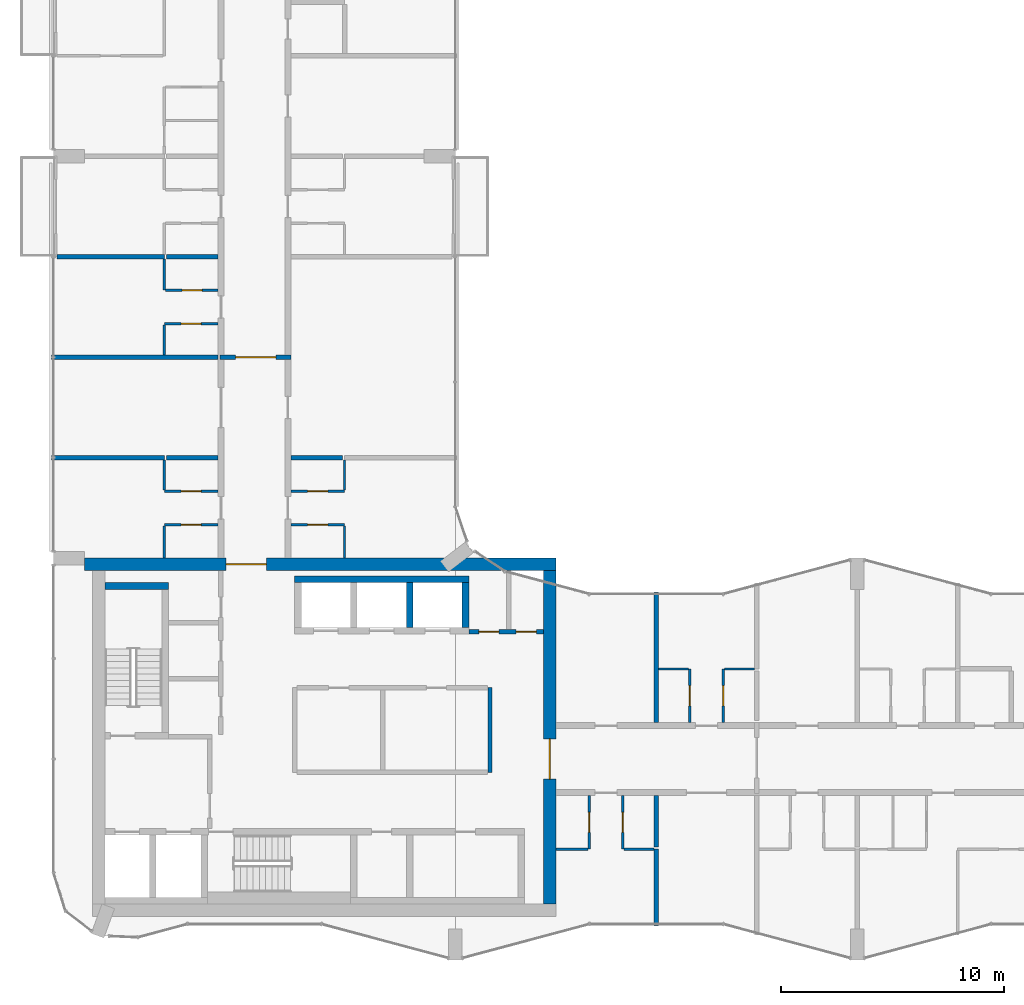
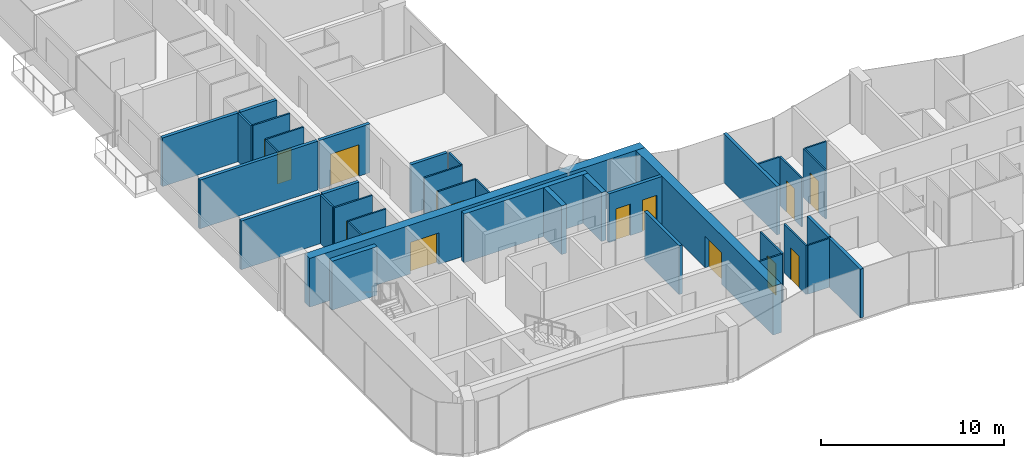
# One storey, part 10 of 15: 38 walls, 15 doors, 15 openings.
"""IFC4 building model written with IfcOpenShell, lengths in metres."""

from ifc_helpers import new_model, si_unit, direction, frame, frame_2d, origin, place, context, subcontext, project, spatial, rectangle, extrude, material, layer, layer_set, type_object, element, fill, save


model = new_model("IFC4")

# Units and contexts
model_context = context("Model", 3, precision=1e-05, world=origin(), true_north=direction((0.0, 1.0)))
body_context = subcontext(model_context, "Body", "Model", "MODEL_VIEW")
ifc_project = project(units=[si_unit("LENGTHUNIT", "METRE"), si_unit("AREAUNIT", "SQUARE_METRE"), si_unit("VOLUMEUNIT", "CUBIC_METRE"), si_unit("PLANEANGLEUNIT", "RADIAN"), si_unit("MASSUNIT", "GRAM", prefix="KILO")], contexts=[model_context])

# Site, building, storey
site_placement = place(None, origin())
site = spatial("IfcSite", under=ifc_project, at=site_placement, CompositionType="ELEMENT")
building_placement = place(site_placement, origin())
building = spatial("IfcBuilding", under=site, at=building_placement, Name="Plateau Cross Towers", CompositionType="ELEMENT")
storey_placement = place(building_placement, frame((0.0, 0.0, 194.39990234375)))
storey = spatial("IfcBuildingStorey", under=building, at=storey_placement, Name="L50", CompositionType="ELEMENT", Elevation=194.39990234375)

# Wall
ifc_material_1 = material(Name="Concrete block, plastered both sides", Category="concrete")
ifc_layer_1 = layer(ifc_material_1, 0.199951171875)
ifc_layer_set_1 = layer_set([ifc_layer_1], Name="Concrete block, plastered both sides")
wall_type_1 = type_object("IfcWallType", Name="Core partition 200", PredefinedType="PARTITIONING", material=ifc_layer_set_1)
wall_1_placement = place(storey_placement, frame((19.550048828125, 8.39990234375, 0.0), z_axis=(0.0, 0.0, 1.0), x_axis=(0.0, 1.0, 0.0)))
element("IfcWall", 1, at=wall_1_placement, inside=storey, type_object=wall_type_1, Name="Core partition", PredefinedType="PARTITIONING", context=body_context, shape_type="SweptSolid", body=[
    extrude(rectangle(XDim=3.800048828125, YDim=0.199951171875, at=frame_2d((1.89990234375, 0.0))), origin(), (0.0, 0.0, 1.0), 3.25),
])

# Wall, openings, doors
wall_2_placement = place(storey_placement, frame((18.60009765625, 14.699951171875, 0.0), z_axis=(0.0, 0.0, 1.0), x_axis=(1.0, 0.0, 0.0)))
wall_2 = element("IfcWall", 2, at=wall_2_placement, inside=storey, type_object=wall_type_1, Name="Core partition", PredefinedType="PARTITIONING", context=body_context, shape_type="SweptSolid", body=[
    extrude(rectangle(XDim=3.349853515625, YDim=0.199951171875, at=frame_2d((1.6748046875, 0.0))), origin(), (0.0, 0.0, 1.0), 3.25),
])
opening_1_placement = place(wall_2_placement, frame((0.449951171875, 0.0, 0.0)))
opening_1 = element("IfcOpeningElement", 3, at=opening_1_placement, cuts=wall_2, Name="Opening RD2", PredefinedType="OPENING", context=body_context, shape_type="SweptSolid", body=[
    extrude(rectangle(XDim=0.89990234375, YDim=2.10009765625, at=frame_2d((0.449951171875, 1.050048828125))), frame((0.0, 0.10986328125, 0.0), z_axis=(0.0, -1.0, 0.0), x_axis=(1.0, 0.0, 0.0)), (0.0, 0.0, 1.0), 0.219970703125),
])
opening_2_placement = place(wall_2_placement, frame((2.125, 0.0, 0.0)))
opening_2 = element("IfcOpeningElement", 4, at=opening_2_placement, cuts=wall_2, Name="Opening RD2", PredefinedType="OPENING", context=body_context, shape_type="SweptSolid", body=[
    extrude(rectangle(XDim=0.89990234375, YDim=2.10009765625, at=frame_2d((0.449951171875, 1.050048828125))), frame((0.0, 0.10986328125, 0.0), z_axis=(0.0, -1.0, 0.0), x_axis=(1.0, 0.0, 0.0)), (0.0, 0.0, 1.0), 0.219970703125),
])
ifc_material_2 = material(Name="Steel, fire-resisting leaf", Category="steel")
door_type_1 = type_object("IfcDoorType", Name="Core riser door 900", OperationType="NOTDEFINED", PredefinedType="DOOR", material=ifc_material_2)
door_1_placement = place(opening_1_placement, origin())
door_1 = element("IfcDoor", 5, at=door_1_placement, inside=storey, type_object=door_type_1, Name="Core riser door RD2", OperationType="SINGLE_SWING_LEFT", OverallHeight=2.10009765625, OverallWidth=0.89990234375, PredefinedType="DOOR", context=body_context, shape_type="SweptSolid", body=[
    extrude(rectangle(XDim=0.89990234375, YDim=2.10009765625, at=frame_2d((0.449951171875, 1.050048828125))), frame((0.0, 0.02490234375, 0.0), z_axis=(0.0, -1.0, 0.0), x_axis=(1.0, 0.0, 0.0)), (0.0, 0.0, 1.0), 0.050048828125),
])
fill(opening_1, door_1)
door_2_placement = place(opening_2_placement, origin())
door_2 = element("IfcDoor", 6, at=door_2_placement, inside=storey, type_object=door_type_1, Name="Core riser door RD2", OperationType="SINGLE_SWING_LEFT", OverallHeight=2.10009765625, OverallWidth=0.89990234375, PredefinedType="DOOR", context=body_context, shape_type="SweptSolid", body=[
    extrude(rectangle(XDim=0.89990234375, YDim=2.10009765625, at=frame_2d((0.449951171875, 1.050048828125))), frame((0.0, 0.02490234375, 0.0), z_axis=(0.0, -1.0, 0.0), x_axis=(1.0, 0.0, 0.0)), (0.0, 0.0, 1.0), 0.050048828125),
])
fill(opening_2, door_2)

# Walls
ifc_material_3 = material(Name="Concrete C60/75", Category="concrete")
ifc_layer_2 = layer(ifc_material_3, 0.300048828125)
ifc_layer_set_2 = layer_set([ifc_layer_2], Name="Concrete C60/75")
wall_type_2 = type_object("IfcWallType", Name="Core shaft wall 300", PredefinedType="SHEAR", material=ifc_layer_set_2)
wall_3_placement = place(storey_placement, frame((2.300048828125, 16.75, 0.0), z_axis=(0.0, 0.0, 1.0), x_axis=(1.0, 0.0, 0.0)))
element("IfcWall", 7, at=wall_3_placement, inside=storey, type_object=wall_type_2, Name="A-st1-N@L50", PredefinedType="SHEAR", context=body_context, shape_type="SweptSolid", body=[
    extrude(rectangle(XDim=2.849853515625, YDim=0.300048828125, at=frame_2d((1.4248046875, 0.0))), origin(), (0.0, 0.0, 1.0), 3.25),
])
wall_4_placement = place(storey_placement, frame((10.800048828125, 17.050048828125, 0.0), z_axis=(0.0, 0.0, 1.0), x_axis=(1.0, 0.0, 0.0)))
element("IfcWall", 8, at=wall_4_placement, inside=storey, type_object=wall_type_2, Name="A-nb-back@L50", PredefinedType="SHEAR", context=body_context, shape_type="SweptSolid", body=[
    extrude(rectangle(XDim=7.800048828125, YDim=0.300048828125, at=frame_2d((3.89990234375, 0.0))), origin(), (0.0, 0.0, 1.0), 3.25),
])
for number, where, z_axis, x_axis, name in (
    (9, (15.949951171875, 14.89990234375, 0.0), (0.0, 0.0, 1.0), (0.0, 1.0, 0.0), "A-nb-v3@L50"),
    (10, (18.449951171875, 14.89990234375, 0.0), (0.0, 0.0, 1.0), (0.0, 1.0, 0.0), "A-nb-v4@L50"),
):
    element("IfcWall", number, at=place(storey_placement, frame(where, z_axis=z_axis, x_axis=x_axis)), inside=storey, type_object=wall_type_2, Name=name, PredefinedType="SHEAR", context=body_context, shape_type="SweptSolid", body=[
        extrude(rectangle(XDim=2.0, YDim=0.300048828125, at=frame_2d((1.0, 0.0))), origin(), (0.0, 0.0, 1.0), 3.25),
    ])

# Wall, opening, door
ifc_layer_3 = layer(ifc_material_3, 0.550048828125)
ifc_layer_set_3 = layer_set([ifc_layer_3], Name="Concrete C60/75")
wall_type_3 = type_object("IfcWallType", Name="Core shell wall 550", PredefinedType="SHEAR", material=ifc_layer_set_3)
wall_5_placement = place(storey_placement, frame((1.3798828125, 17.72509765625, 0.0), z_axis=(0.0, 0.0, 1.0), x_axis=(1.0, 0.0, 0.0)))
wall_5 = element("IfcWall", 11, at=wall_5_placement, inside=storey, type_object=wall_type_3, Name="A-core-N@L50", PredefinedType="SHEAR", context=body_context, shape_type="SweptSolid", body=[
    extrude(rectangle(XDim=21.1201171875, YDim=0.550048828125, at=frame_2d((10.56005859375, 0.0))), origin(), (0.0, 0.0, 1.0), 3.25),
])
opening_3_placement = place(wall_5_placement, frame((6.35009765625, 0.0, 0.0)))
opening_3 = element("IfcOpeningElement", 12, at=opening_3_placement, cuts=wall_5, Name="Opening CD", PredefinedType="OPENING", context=body_context, shape_type="SweptSolid", body=[
    extrude(rectangle(XDim=1.800048828125, YDim=2.10009765625, at=frame_2d((0.89990234375, 1.050048828125))), frame((0.0, 0.284912109375, 0.0), z_axis=(0.0, -1.0, 0.0), x_axis=(1.0, 0.0, 0.0)), (0.0, 0.0, 1.0), 0.570068359375),
])
ifc_material_4 = material(Name="Steel, fire-resisting leaves", Category="steel")
door_type_2 = type_object("IfcDoorType", Name="Corridor door pair 1800", OperationType="NOTDEFINED", PredefinedType="DOOR", material=ifc_material_4)
door_3_placement = place(opening_3_placement, origin())
door_3 = element("IfcDoor", 13, at=door_3_placement, inside=storey, type_object=door_type_2, Name="Corridor door pair CD", OperationType="DOUBLE_DOOR_SINGLE_SWING", OverallHeight=2.10009765625, OverallWidth=1.800048828125, PredefinedType="DOOR", context=body_context, shape_type="SweptSolid", body=[
    extrude(rectangle(XDim=1.800048828125, YDim=2.10009765625, at=frame_2d((0.89990234375, 1.050048828125))), frame((0.0, 0.02490234375, 0.0), z_axis=(0.0, -1.0, 0.0), x_axis=(1.0, 0.0, 0.0)), (0.0, 0.0, 1.0), 0.050048828125),
])
fill(opening_3, door_3)

wall_6_placement = place(storey_placement, frame((22.22509765625, 2.5, 0.0), z_axis=(0.0, 0.0, 1.0), x_axis=(0.0, 1.0, 0.0)))
wall_6 = element("IfcWall", 14, at=wall_6_placement, inside=storey, type_object=wall_type_3, Name="A-core-E@L50", PredefinedType="SHEAR", context=body_context, shape_type="SweptSolid", body=[
    extrude(rectangle(XDim=14.949951171875, YDim=0.550048828125, at=frame_2d((7.47509765625, 0.0))), origin(), (0.0, 0.0, 1.0), 3.25),
])
opening_4_placement = place(wall_6_placement, frame((5.60009765625, 0.0, 0.0)))
opening_4 = element("IfcOpeningElement", 15, at=opening_4_placement, cuts=wall_6, Name="Opening CD", PredefinedType="OPENING", context=body_context, shape_type="SweptSolid", body=[
    extrude(rectangle(XDim=1.800048828125, YDim=2.10009765625, at=frame_2d((0.89990234375, 1.050048828125))), frame((0.0, 0.284912109375, 0.0), z_axis=(0.0, -1.0, 0.0), x_axis=(1.0, 0.0, 0.0)), (0.0, 0.0, 1.0), 0.570068359375),
])
door_4_placement = place(opening_4_placement, origin())
door_4 = element("IfcDoor", 16, at=door_4_placement, inside=storey, type_object=door_type_2, Name="Corridor door pair CD", OperationType="DOUBLE_DOOR_SINGLE_SWING", OverallHeight=2.10009765625, OverallWidth=1.800048828125, PredefinedType="DOOR", context=body_context, shape_type="SweptSolid", body=[
    extrude(rectangle(XDim=1.800048828125, YDim=2.10009765625, at=frame_2d((0.89990234375, 1.050048828125))), frame((0.0, 0.02490234375, 0.0), z_axis=(0.0, -1.0, 0.0), x_axis=(1.0, 0.0, 0.0)), (0.0, 0.0, 1.0), 0.050048828125),
])
fill(opening_4, door_4)

# Walls
ifc_material_5 = material(Name="Gypsum board on steel studs", Category="steel")
ifc_layer_4 = layer(ifc_material_5, 0.10009765625)
ifc_layer_set_4 = layer_set([ifc_layer_4], Name="Gypsum board on steel studs")
wall_type_4 = type_object("IfcWallType", Name="Flat partition 100", PredefinedType="PARTITIONING", material=ifc_layer_set_4)
wall_7_placement = place(storey_placement, frame((22.5, 4.96240234375, 0.0), z_axis=(0.0, 0.0, 1.0), x_axis=(1.0, 0.0, 0.0)))
element("IfcWall", 17, at=wall_7_placement, inside=storey, type_object=wall_type_4, Name="Partition wall", PredefinedType="PARTITIONING", context=body_context, shape_type="SweptSolid", body=[
    extrude(rectangle(XDim=1.449951171875, YDim=0.10009765625, at=frame_2d((0.72509765625, 0.0))), origin(), (0.0, 0.0, 1.0), 3.25),
])
for number, where, z_axis, x_axis, name in (
    (18, (25.550048828125, 4.96240234375, 0.0), (0.0, 0.0, 1.0), (1.0, 0.0, 0.0), "Partition wall"),
    (19, (28.449951171875, 13.03759765625, 0.0), (0.0, 0.0, 1.0), (-1.0, 0.0, 0.0), "Partition wall"),
    (20, (31.39990234375, 13.03759765625, 0.0), (0.0, 0.0, 1.0), (-1.0, 0.0, 0.0), "Partition wall"),
):
    element("IfcWall", number, at=place(storey_placement, frame(where, z_axis=z_axis, x_axis=x_axis)), inside=storey, type_object=wall_type_4, Name=name, PredefinedType="PARTITIONING", context=body_context, shape_type="SweptSolid", body=[
        extrude(rectangle(XDim=1.349853515625, YDim=0.10009765625, at=frame_2d((0.6748046875, 0.0))), origin(), (0.0, 0.0, 1.0), 3.25),
    ])

# Wall, opening, door
wall_8_placement = place(storey_placement, frame((7.362548828125, 19.5, 0.0), z_axis=(0.0, 0.0, 1.0), x_axis=(-1.0, 0.0, 0.0)))
wall_8 = element("IfcWall", 21, at=wall_8_placement, inside=storey, type_object=wall_type_4, Name="Partition wall", PredefinedType="PARTITIONING", context=body_context, shape_type="SweptSolid", body=[
    extrude(rectangle(XDim=2.400146484375, YDim=0.10009765625, at=frame_2d((1.2001953125, 0.0))), origin(), (0.0, 0.0, 1.0), 3.25),
])
opening_5_placement = place(wall_8_placement, frame((0.75, 0.0, 0.0)))
opening_5 = element("IfcOpeningElement", 22, at=opening_5_placement, cuts=wall_8, Name="Opening 50-39", PredefinedType="OPENING", context=body_context, shape_type="SweptSolid", body=[
    extrude(rectangle(XDim=0.89990234375, YDim=2.10009765625, at=frame_2d((0.449951171875, 1.050048828125))), frame((0.0, 0.06005859375, 0.0), z_axis=(0.0, -1.0, 0.0), x_axis=(1.0, 0.0, 0.0)), (0.0, 0.0, 1.0), 0.1201171875),
])
ifc_material_6 = material(Name="Timber leaf", Category="wood")
door_type_3 = type_object("IfcDoorType", Name="Flat room door 900", OperationType="NOTDEFINED", PredefinedType="DOOR", material=ifc_material_6)
door_5_placement = place(opening_5_placement, origin())
door_5 = element("IfcDoor", 23, at=door_5_placement, inside=storey, type_object=door_type_3, Name="Door 50-39", OperationType="SINGLE_SWING_RIGHT", OverallHeight=2.10009765625, OverallWidth=0.89990234375, PredefinedType="DOOR", context=body_context, shape_type="SweptSolid", body=[
    extrude(rectangle(XDim=0.89990234375, YDim=2.10009765625, at=frame_2d((0.449951171875, 1.050048828125))), frame((0.0, 0.02490234375, 0.0), z_axis=(0.0, -1.0, 0.0), x_axis=(1.0, 0.0, 0.0)), (0.0, 0.0, 1.0), 0.050048828125),
])
fill(opening_5, door_5)

wall_9_placement = place(storey_placement, frame((13.03759765625, 19.5, 0.0), z_axis=(0.0, 0.0, 1.0), x_axis=(-1.0, 0.0, 0.0)))
wall_9 = element("IfcWall", 24, at=wall_9_placement, inside=storey, type_object=wall_type_4, Name="Partition wall", PredefinedType="PARTITIONING", context=body_context, shape_type="SweptSolid", body=[
    extrude(rectangle(XDim=2.400146484375, YDim=0.10009765625, at=frame_2d((1.2001953125, 0.0))), origin(), (0.0, 0.0, 1.0), 3.25),
])
opening_6_placement = place(wall_9_placement, frame((0.75, 0.0, 0.0)))
opening_6 = element("IfcOpeningElement", 25, at=opening_6_placement, cuts=wall_9, Name="Opening 50-50", PredefinedType="OPENING", context=body_context, shape_type="SweptSolid", body=[
    extrude(rectangle(XDim=0.89990234375, YDim=2.10009765625, at=frame_2d((0.449951171875, 1.050048828125))), frame((0.0, 0.06005859375, 0.0), z_axis=(0.0, -1.0, 0.0), x_axis=(1.0, 0.0, 0.0)), (0.0, 0.0, 1.0), 0.1201171875),
])
door_6_placement = place(opening_6_placement, origin())
door_6 = element("IfcDoor", 26, at=door_6_placement, inside=storey, type_object=door_type_3, Name="Door 50-50", OperationType="SINGLE_SWING_LEFT", OverallHeight=2.10009765625, OverallWidth=0.89990234375, PredefinedType="DOOR", context=body_context, shape_type="SweptSolid", body=[
    extrude(rectangle(XDim=0.89990234375, YDim=2.10009765625, at=frame_2d((0.449951171875, 1.050048828125))), frame((0.0, 0.02490234375, 0.0), z_axis=(0.0, -1.0, 0.0), x_axis=(1.0, 0.0, 0.0)), (0.0, 0.0, 1.0), 0.050048828125),
])
fill(opening_6, door_6)

wall_10_placement = place(storey_placement, frame((4.96240234375, 21.0, 0.0), z_axis=(0.0, 0.0, 1.0), x_axis=(1.0, 0.0, 0.0)))
wall_10 = element("IfcWall", 27, at=wall_10_placement, inside=storey, type_object=wall_type_4, Name="Partition wall", PredefinedType="PARTITIONING", context=body_context, shape_type="SweptSolid", body=[
    extrude(rectangle(XDim=2.400146484375, YDim=0.10009765625, at=frame_2d((1.2001953125, 0.0))), origin(), (0.0, 0.0, 1.0), 3.25),
])
opening_7_placement = place(wall_10_placement, frame((0.75, 0.0, 0.0)))
opening_7 = element("IfcOpeningElement", 28, at=opening_7_placement, cuts=wall_10, Name="Opening 50-40", PredefinedType="OPENING", context=body_context, shape_type="SweptSolid", body=[
    extrude(rectangle(XDim=0.89990234375, YDim=2.10009765625, at=frame_2d((0.449951171875, 1.050048828125))), frame((0.0, 0.06005859375, 0.0), z_axis=(0.0, -1.0, 0.0), x_axis=(1.0, 0.0, 0.0)), (0.0, 0.0, 1.0), 0.1201171875),
])
door_7_placement = place(opening_7_placement, origin())
door_7 = element("IfcDoor", 29, at=door_7_placement, inside=storey, type_object=door_type_3, Name="Door 50-40", OperationType="SINGLE_SWING_RIGHT", OverallHeight=2.10009765625, OverallWidth=0.89990234375, PredefinedType="DOOR", context=body_context, shape_type="SweptSolid", body=[
    extrude(rectangle(XDim=0.89990234375, YDim=2.10009765625, at=frame_2d((0.449951171875, 1.050048828125))), frame((0.0, 0.02490234375, 0.0), z_axis=(0.0, -1.0, 0.0), x_axis=(1.0, 0.0, 0.0)), (0.0, 0.0, 1.0), 0.050048828125),
])
fill(opening_7, door_7)

wall_11_placement = place(storey_placement, frame((10.637451171875, 21.0, 0.0), z_axis=(0.0, 0.0, 1.0), x_axis=(1.0, 0.0, 0.0)))
wall_11 = element("IfcWall", 30, at=wall_11_placement, inside=storey, type_object=wall_type_4, Name="Partition wall", PredefinedType="PARTITIONING", context=body_context, shape_type="SweptSolid", body=[
    extrude(rectangle(XDim=2.400146484375, YDim=0.10009765625, at=frame_2d((1.2001953125, 0.0))), origin(), (0.0, 0.0, 1.0), 3.25),
])
opening_8_placement = place(wall_11_placement, frame((0.75, 0.0, 0.0)))
opening_8 = element("IfcOpeningElement", 31, at=opening_8_placement, cuts=wall_11, Name="Opening 50-51", PredefinedType="OPENING", context=body_context, shape_type="SweptSolid", body=[
    extrude(rectangle(XDim=0.89990234375, YDim=2.10009765625, at=frame_2d((0.449951171875, 1.050048828125))), frame((0.0, 0.06005859375, 0.0), z_axis=(0.0, -1.0, 0.0), x_axis=(1.0, 0.0, 0.0)), (0.0, 0.0, 1.0), 0.1201171875),
])
door_8_placement = place(opening_8_placement, origin())
door_8 = element("IfcDoor", 32, at=door_8_placement, inside=storey, type_object=door_type_3, Name="Door 50-51", OperationType="SINGLE_SWING_LEFT", OverallHeight=2.10009765625, OverallWidth=0.89990234375, PredefinedType="DOOR", context=body_context, shape_type="SweptSolid", body=[
    extrude(rectangle(XDim=0.89990234375, YDim=2.10009765625, at=frame_2d((0.449951171875, 1.050048828125))), frame((0.0, 0.02490234375, 0.0), z_axis=(0.0, -1.0, 0.0), x_axis=(1.0, 0.0, 0.0)), (0.0, 0.0, 1.0), 0.050048828125),
])
fill(opening_8, door_8)

wall_12_placement = place(storey_placement, frame((7.362548828125, 28.5, 0.0), z_axis=(0.0, 0.0, 1.0), x_axis=(-1.0, 0.0, 0.0)))
wall_12 = element("IfcWall", 33, at=wall_12_placement, inside=storey, type_object=wall_type_4, Name="Partition wall", PredefinedType="PARTITIONING", context=body_context, shape_type="SweptSolid", body=[
    extrude(rectangle(XDim=2.400146484375, YDim=0.10009765625, at=frame_2d((1.2001953125, 0.0))), origin(), (0.0, 0.0, 1.0), 3.25),
])
opening_9_placement = place(wall_12_placement, frame((0.75, 0.0, 0.0)))
opening_9 = element("IfcOpeningElement", 34, at=opening_9_placement, cuts=wall_12, Name="Opening 50-41", PredefinedType="OPENING", context=body_context, shape_type="SweptSolid", body=[
    extrude(rectangle(XDim=0.89990234375, YDim=2.10009765625, at=frame_2d((0.449951171875, 1.050048828125))), frame((0.0, 0.06005859375, 0.0), z_axis=(0.0, -1.0, 0.0), x_axis=(1.0, 0.0, 0.0)), (0.0, 0.0, 1.0), 0.1201171875),
])
door_9_placement = place(opening_9_placement, origin())
door_9 = element("IfcDoor", 35, at=door_9_placement, inside=storey, type_object=door_type_3, Name="Door 50-41", OperationType="SINGLE_SWING_RIGHT", OverallHeight=2.10009765625, OverallWidth=0.89990234375, PredefinedType="DOOR", context=body_context, shape_type="SweptSolid", body=[
    extrude(rectangle(XDim=0.89990234375, YDim=2.10009765625, at=frame_2d((0.449951171875, 1.050048828125))), frame((0.0, 0.02490234375, 0.0), z_axis=(0.0, -1.0, 0.0), x_axis=(1.0, 0.0, 0.0)), (0.0, 0.0, 1.0), 0.050048828125),
])
fill(opening_9, door_9)

wall_13_placement = place(storey_placement, frame((5.012451171875, 30.0, 0.0), z_axis=(0.0, 0.0, 1.0), x_axis=(1.0, 0.0, 0.0)))
wall_13 = element("IfcWall", 36, at=wall_13_placement, inside=storey, type_object=wall_type_4, Name="Partition wall", PredefinedType="PARTITIONING", context=body_context, shape_type="SweptSolid", body=[
    extrude(rectangle(XDim=2.35009765625, YDim=0.10009765625, at=frame_2d((1.175048828125, 0.0))), origin(), (0.0, 0.0, 1.0), 3.25),
])
opening_10_placement = place(wall_13_placement, frame((0.75, 0.0, 0.0)))
opening_10 = element("IfcOpeningElement", 37, at=opening_10_placement, cuts=wall_13, Name="Opening 50-42", PredefinedType="OPENING", context=body_context, shape_type="SweptSolid", body=[
    extrude(rectangle(XDim=0.89990234375, YDim=2.10009765625, at=frame_2d((0.449951171875, 1.050048828125))), frame((0.0, 0.06005859375, 0.0), z_axis=(0.0, -1.0, 0.0), x_axis=(1.0, 0.0, 0.0)), (0.0, 0.0, 1.0), 0.1201171875),
])
door_10_placement = place(opening_10_placement, origin())
door_10 = element("IfcDoor", 38, at=door_10_placement, inside=storey, type_object=door_type_3, Name="Door 50-42", OperationType="SINGLE_SWING_RIGHT", OverallHeight=2.10009765625, OverallWidth=0.89990234375, PredefinedType="DOOR", context=body_context, shape_type="SweptSolid", body=[
    extrude(rectangle(XDim=0.89990234375, YDim=2.10009765625, at=frame_2d((0.449951171875, 1.050048828125))), frame((0.0, 0.02490234375, 0.0), z_axis=(0.0, -1.0, 0.0), x_axis=(1.0, 0.0, 0.0)), (0.0, 0.0, 1.0), 0.050048828125),
])
fill(opening_10, door_10)

# Walls
wall_14_placement = place(storey_placement, frame((4.96240234375, 19.449951171875, 0.0), z_axis=(0.0, 0.0, 1.0), x_axis=(0.0, -1.0, 0.0)))
element("IfcWall", 39, at=wall_14_placement, inside=storey, type_object=wall_type_4, Name="Partition wall", PredefinedType="PARTITIONING", context=body_context, shape_type="SweptSolid", body=[
    extrude(rectangle(XDim=1.449951171875, YDim=0.10009765625, at=frame_2d((0.72509765625, 0.0))), origin(), (0.0, 0.0, 1.0), 3.25),
])
for number, where, z_axis, x_axis, name in (
    (40, (4.96240234375, 22.39990234375, 0.0), (0.0, 0.0, 1.0), (0.0, -1.0, 0.0), "Partition wall"),
    (41, (4.96240234375, 28.449951171875, 0.0), (0.0, 0.0, 1.0), (0.0, -1.0, 0.0), "Partition wall"),
):
    element("IfcWall", number, at=place(storey_placement, frame(where, z_axis=z_axis, x_axis=x_axis)), inside=storey, type_object=wall_type_4, Name=name, PredefinedType="PARTITIONING", context=body_context, shape_type="SweptSolid", body=[
        extrude(rectangle(XDim=1.349853515625, YDim=0.10009765625, at=frame_2d((0.6748046875, 0.0))), origin(), (0.0, 0.0, 1.0), 3.25),
    ])
wall_15_placement = place(storey_placement, frame((4.96240234375, 31.39990234375, 0.0), z_axis=(0.0, 0.0, 1.0), x_axis=(0.0, -1.0, 0.0)))
element("IfcWall", 42, at=wall_15_placement, inside=storey, type_object=wall_type_4, Name="Partition wall", PredefinedType="PARTITIONING", context=body_context, shape_type="SweptSolid", body=[
    extrude(rectangle(XDim=1.39990234375, YDim=0.10009765625, at=frame_2d((0.699951171875, 0.0))), origin(), (0.0, 0.0, 1.0), 3.25),
])
wall_16_placement = place(storey_placement, frame((13.03759765625, 18.0, 0.0), z_axis=(0.0, 0.0, 1.0), x_axis=(0.0, 1.0, 0.0)))
element("IfcWall", 43, at=wall_16_placement, inside=storey, type_object=wall_type_4, Name="Partition wall", PredefinedType="PARTITIONING", context=body_context, shape_type="SweptSolid", body=[
    extrude(rectangle(XDim=1.449951171875, YDim=0.10009765625, at=frame_2d((0.72509765625, 0.0))), origin(), (0.0, 0.0, 1.0), 3.25),
])
wall_17_placement = place(storey_placement, frame((13.03759765625, 21.050048828125, 0.0), z_axis=(0.0, 0.0, 1.0), x_axis=(0.0, 1.0, 0.0)))
element("IfcWall", 44, at=wall_17_placement, inside=storey, type_object=wall_type_4, Name="Partition wall", PredefinedType="PARTITIONING", context=body_context, shape_type="SweptSolid", body=[
    extrude(rectangle(XDim=1.349853515625, YDim=0.10009765625, at=frame_2d((0.6748046875, 0.0))), origin(), (0.0, 0.0, 1.0), 3.25),
])

# Wall, opening, door
wall_18_placement = place(storey_placement, frame((24.0, 4.96240234375, 0.0), z_axis=(0.0, 0.0, 1.0), x_axis=(0.0, 1.0, 0.0)))
wall_18 = element("IfcWall", 45, at=wall_18_placement, inside=storey, type_object=wall_type_4, Name="Partition wall", PredefinedType="PARTITIONING", context=body_context, shape_type="SweptSolid", body=[
    extrude(rectangle(XDim=2.400146484375, YDim=0.10009765625, at=frame_2d((1.2001953125, 0.0))), origin(), (0.0, 0.0, 1.0), 3.25),
])
opening_11_placement = place(wall_18_placement, frame((0.75, 0.0, 0.0)))
opening_11 = element("IfcOpeningElement", 46, at=opening_11_placement, cuts=wall_18, Name="Opening 50-26", PredefinedType="OPENING", context=body_context, shape_type="SweptSolid", body=[
    extrude(rectangle(XDim=0.89990234375, YDim=2.10009765625, at=frame_2d((0.449951171875, 1.050048828125))), frame((0.0, 0.06005859375, 0.0), z_axis=(0.0, -1.0, 0.0), x_axis=(1.0, 0.0, 0.0)), (0.0, 0.0, 1.0), 0.1201171875),
])
door_11_placement = place(opening_11_placement, origin())
door_11 = element("IfcDoor", 47, at=door_11_placement, inside=storey, type_object=door_type_3, Name="Door 50-26", OperationType="SINGLE_SWING_RIGHT", OverallHeight=2.10009765625, OverallWidth=0.89990234375, PredefinedType="DOOR", context=body_context, shape_type="SweptSolid", body=[
    extrude(rectangle(XDim=0.89990234375, YDim=2.10009765625, at=frame_2d((0.449951171875, 1.050048828125))), frame((0.0, 0.02490234375, 0.0), z_axis=(0.0, -1.0, 0.0), x_axis=(1.0, 0.0, 0.0)), (0.0, 0.0, 1.0), 0.050048828125),
])
fill(opening_11, door_11)

wall_19_placement = place(storey_placement, frame((25.5, 7.362548828125, 0.0), z_axis=(0.0, 0.0, 1.0), x_axis=(0.0, -1.0, 0.0)))
wall_19 = element("IfcWall", 48, at=wall_19_placement, inside=storey, type_object=wall_type_4, Name="Partition wall", PredefinedType="PARTITIONING", context=body_context, shape_type="SweptSolid", body=[
    extrude(rectangle(XDim=2.400146484375, YDim=0.10009765625, at=frame_2d((1.2001953125, 0.0))), origin(), (0.0, 0.0, 1.0), 3.25),
])
opening_12_placement = place(wall_19_placement, frame((0.75, 0.0, 0.0)))
opening_12 = element("IfcOpeningElement", 49, at=opening_12_placement, cuts=wall_19, Name="Opening 50-27", PredefinedType="OPENING", context=body_context, shape_type="SweptSolid", body=[
    extrude(rectangle(XDim=0.89990234375, YDim=2.10009765625, at=frame_2d((0.449951171875, 1.050048828125))), frame((0.0, 0.06005859375, 0.0), z_axis=(0.0, -1.0, 0.0), x_axis=(1.0, 0.0, 0.0)), (0.0, 0.0, 1.0), 0.1201171875),
])
door_12_placement = place(opening_12_placement, origin())
door_12 = element("IfcDoor", 50, at=door_12_placement, inside=storey, type_object=door_type_3, Name="Door 50-27", OperationType="SINGLE_SWING_RIGHT", OverallHeight=2.10009765625, OverallWidth=0.89990234375, PredefinedType="DOOR", context=body_context, shape_type="SweptSolid", body=[
    extrude(rectangle(XDim=0.89990234375, YDim=2.10009765625, at=frame_2d((0.449951171875, 1.050048828125))), frame((0.0, 0.02490234375, 0.0), z_axis=(0.0, -1.0, 0.0), x_axis=(1.0, 0.0, 0.0)), (0.0, 0.0, 1.0), 0.050048828125),
])
fill(opening_12, door_12)

wall_20_placement = place(storey_placement, frame((28.5, 10.637451171875, 0.0), z_axis=(0.0, 0.0, 1.0), x_axis=(0.0, 1.0, 0.0)))
wall_20 = element("IfcWall", 51, at=wall_20_placement, inside=storey, type_object=wall_type_4, Name="Partition wall", PredefinedType="PARTITIONING", context=body_context, shape_type="SweptSolid", body=[
    extrude(rectangle(XDim=2.400146484375, YDim=0.10009765625, at=frame_2d((1.2001953125, 0.0))), origin(), (0.0, 0.0, 1.0), 3.25),
])
opening_13_placement = place(wall_20_placement, frame((0.75, 0.0, 0.0)))
opening_13 = element("IfcOpeningElement", 52, at=opening_13_placement, cuts=wall_20, Name="Opening 50-35", PredefinedType="OPENING", context=body_context, shape_type="SweptSolid", body=[
    extrude(rectangle(XDim=0.89990234375, YDim=2.10009765625, at=frame_2d((0.449951171875, 1.050048828125))), frame((0.0, 0.06005859375, 0.0), z_axis=(0.0, -1.0, 0.0), x_axis=(1.0, 0.0, 0.0)), (0.0, 0.0, 1.0), 0.1201171875),
])
door_13_placement = place(opening_13_placement, origin())
door_13 = element("IfcDoor", 53, at=door_13_placement, inside=storey, type_object=door_type_3, Name="Door 50-35", OperationType="SINGLE_SWING_LEFT", OverallHeight=2.10009765625, OverallWidth=0.89990234375, PredefinedType="DOOR", context=body_context, shape_type="SweptSolid", body=[
    extrude(rectangle(XDim=0.89990234375, YDim=2.10009765625, at=frame_2d((0.449951171875, 1.050048828125))), frame((0.0, 0.02490234375, 0.0), z_axis=(0.0, -1.0, 0.0), x_axis=(1.0, 0.0, 0.0)), (0.0, 0.0, 1.0), 0.050048828125),
])
fill(opening_13, door_13)

wall_21_placement = place(storey_placement, frame((30.0, 13.03759765625, 0.0), z_axis=(0.0, 0.0, 1.0), x_axis=(0.0, -1.0, 0.0)))
wall_21 = element("IfcWall", 54, at=wall_21_placement, inside=storey, type_object=wall_type_4, Name="Partition wall", PredefinedType="PARTITIONING", context=body_context, shape_type="SweptSolid", body=[
    extrude(rectangle(XDim=2.400146484375, YDim=0.10009765625, at=frame_2d((1.2001953125, 0.0))), origin(), (0.0, 0.0, 1.0), 3.25),
])
opening_14_placement = place(wall_21_placement, frame((0.75, 0.0, 0.0)))
opening_14 = element("IfcOpeningElement", 55, at=opening_14_placement, cuts=wall_21, Name="Opening 50-36", PredefinedType="OPENING", context=body_context, shape_type="SweptSolid", body=[
    extrude(rectangle(XDim=0.89990234375, YDim=2.10009765625, at=frame_2d((0.449951171875, 1.050048828125))), frame((0.0, 0.06005859375, 0.0), z_axis=(0.0, -1.0, 0.0), x_axis=(1.0, 0.0, 0.0)), (0.0, 0.0, 1.0), 0.1201171875),
])
door_14_placement = place(opening_14_placement, origin())
door_14 = element("IfcDoor", 56, at=door_14_placement, inside=storey, type_object=door_type_3, Name="Door 50-36", OperationType="SINGLE_SWING_LEFT", OverallHeight=2.10009765625, OverallWidth=0.89990234375, PredefinedType="DOOR", context=body_context, shape_type="SweptSolid", body=[
    extrude(rectangle(XDim=0.89990234375, YDim=2.10009765625, at=frame_2d((0.449951171875, 1.050048828125))), frame((0.0, 0.02490234375, 0.0), z_axis=(0.0, -1.0, 0.0), x_axis=(1.0, 0.0, 0.0)), (0.0, 0.0, 1.0), 0.050048828125),
])
fill(opening_14, door_14)

# Walls
ifc_material_7 = material(Name="Gypsum board on steel studs, two layers each side", Category="steel")
ifc_layer_5 = layer(ifc_material_7, 0.199951171875)
ifc_layer_set_5 = layer_set([ifc_layer_5], Name="Gypsum board on steel studs, two layers each side")
wall_type_5 = type_object("IfcWallType", Name="Flat party wall 200", PredefinedType="PARTITIONING", material=ifc_layer_set_5)
for number, where, z_axis, x_axis, name in (
    (57, (7.362548828125, 22.5, 0.0), (0.0, 0.0, 1.0), (-1.0, 0.0, 0.0), "Party wall"),
    (58, (12.9375, 22.5, 0.0), (0.0, 0.0, 1.0), (-1.0, 0.0, 0.0), "Party wall"),
):
    element("IfcWall", number, at=place(storey_placement, frame(where, z_axis=z_axis, x_axis=x_axis)), inside=storey, type_object=wall_type_5, Name=name, PredefinedType="PARTITIONING", context=body_context, shape_type="SweptSolid", body=[
        extrude(rectangle(XDim=2.300048828125, YDim=0.199951171875, at=frame_2d((1.14990234375, 0.0))), origin(), (0.0, 0.0, 1.0), 3.25),
    ])
wall_22_placement = place(storey_placement, frame((-0.080078125, 22.5, 0.0), z_axis=(0.0, 0.0, 1.0), x_axis=(1.0, 0.0, 0.0)))
element("IfcWall", 59, at=wall_22_placement, inside=storey, type_object=wall_type_5, Name="Party wall", PredefinedType="PARTITIONING", context=body_context, shape_type="SweptSolid", body=[
    extrude(rectangle(XDim=5.04248046875, YDim=0.199951171875, at=frame_2d((2.521240234375, 0.0))), origin(), (0.0, 0.0, 1.0), 3.25),
])
wall_23_placement = place(storey_placement, frame((7.362548828125, 27.0, 0.0), z_axis=(0.0, 0.0, 1.0), x_axis=(-1.0, 0.0, 0.0)))
element("IfcWall", 60, at=wall_23_placement, inside=storey, type_object=wall_type_5, Name="Party wall", PredefinedType="PARTITIONING", context=body_context, shape_type="SweptSolid", body=[
    extrude(rectangle(XDim=7.442626953125, YDim=0.199951171875, at=frame_2d((3.72119140625, 0.0))), origin(), (0.0, 0.0, 1.0), 3.25),
])
wall_24_placement = place(storey_placement, frame((7.362548828125, 31.5, 0.0), z_axis=(0.0, 0.0, 1.0), x_axis=(-1.0, 0.0, 0.0)))
element("IfcWall", 61, at=wall_24_placement, inside=storey, type_object=wall_type_5, Name="Party wall", PredefinedType="PARTITIONING", context=body_context, shape_type="SweptSolid", body=[
    extrude(rectangle(XDim=2.300048828125, YDim=0.199951171875, at=frame_2d((1.14990234375, 0.0))), origin(), (0.0, 0.0, 1.0), 3.25),
])
wall_25_placement = place(storey_placement, frame((0.14990234375, 31.5, 0.0), z_axis=(0.0, 0.0, 1.0), x_axis=(1.0, 0.0, 0.0)))
element("IfcWall", 62, at=wall_25_placement, inside=storey, type_object=wall_type_5, Name="Party wall", PredefinedType="PARTITIONING", context=body_context, shape_type="SweptSolid", body=[
    extrude(rectangle(XDim=4.8125, YDim=0.199951171875, at=frame_2d((2.40625, 0.0))), origin(), (0.0, 0.0, 1.0), 3.25),
])
wall_26_placement = place(storey_placement, frame((27.0, 4.96240234375, 0.0), z_axis=(0.0, 0.0, 1.0), x_axis=(0.0, -1.0, 0.0)))
element("IfcWall", 63, at=wall_26_placement, inside=storey, type_object=wall_type_5, Name="Party wall", PredefinedType="PARTITIONING", context=body_context, shape_type="SweptSolid", body=[
    extrude(rectangle(XDim=3.435546875, YDim=0.199951171875, at=frame_2d((1.7177734375, 0.0))), origin(), (0.0, 0.0, 1.0), 3.25),
])
wall_27_placement = place(storey_placement, frame((27.0, 5.0625, 0.0), z_axis=(0.0, 0.0, 1.0), x_axis=(0.0, 1.0, 0.0)))
element("IfcWall", 64, at=wall_27_placement, inside=storey, type_object=wall_type_5, Name="Party wall", PredefinedType="PARTITIONING", context=body_context, shape_type="SweptSolid", body=[
    extrude(rectangle(XDim=2.300048828125, YDim=0.199951171875, at=frame_2d((1.14990234375, 0.0))), origin(), (0.0, 0.0, 1.0), 3.25),
])
wall_28_placement = place(storey_placement, frame((27.0, 10.637451171875, 0.0), z_axis=(0.0, 0.0, 1.0), x_axis=(0.0, 1.0, 0.0)))
element("IfcWall", 65, at=wall_28_placement, inside=storey, type_object=wall_type_5, Name="Party wall", PredefinedType="PARTITIONING", context=body_context, shape_type="SweptSolid", body=[
    extrude(rectangle(XDim=5.835693359375, YDim=0.199951171875, at=frame_2d((2.91796875, 0.0))), origin(), (0.0, 0.0, 1.0), 3.25),
])

# Wall, opening, door
wall_29_placement = place(storey_placement, frame((7.46240234375, 27.0, 0.0), z_axis=(0.0, 0.0, 1.0), x_axis=(1.0, 0.0, 0.0)))
wall_29 = element("IfcWall", 66, at=wall_29_placement, inside=storey, type_object=wall_type_5, Name="Party wall", PredefinedType="PARTITIONING", context=body_context, shape_type="SweptSolid", body=[
    extrude(rectangle(XDim=3.175048828125, YDim=0.199951171875, at=frame_2d((1.58740234375, 0.0))), origin(), (0.0, 0.0, 1.0), 3.25),
])
opening_15_placement = place(wall_29_placement, frame((0.699951171875, 0.0, 0.0)))
opening_15 = element("IfcOpeningElement", 67, at=opening_15_placement, cuts=wall_29, Name="Opening 50-23", PredefinedType="OPENING", context=body_context, shape_type="SweptSolid", body=[
    extrude(rectangle(XDim=1.800048828125, YDim=2.10009765625, at=frame_2d((0.89990234375, 1.050048828125))), frame((0.0, 0.10986328125, 0.0), z_axis=(0.0, -1.0, 0.0), x_axis=(1.0, 0.0, 0.0)), (0.0, 0.0, 1.0), 0.219970703125),
])
ifc_material_8 = material(Name="Timber, fire-resisting leaves", Category="wood")
door_type_4 = type_object("IfcDoorType", Name="Flat floor fire door pair 1800", OperationType="NOTDEFINED", PredefinedType="DOOR", material=ifc_material_8)
door_15_placement = place(opening_15_placement, origin())
door_15 = element("IfcDoor", 68, at=door_15_placement, inside=storey, type_object=door_type_4, Name="Door 50-23", OperationType="SINGLE_SWING_RIGHT", OverallHeight=2.10009765625, OverallWidth=1.800048828125, PredefinedType="DOOR", context=body_context, shape_type="SweptSolid", body=[
    extrude(rectangle(XDim=1.800048828125, YDim=2.10009765625, at=frame_2d((0.89990234375, 1.050048828125))), frame((0.0, 0.02490234375, 0.0), z_axis=(0.0, -1.0, 0.0), x_axis=(1.0, 0.0, 0.0)), (0.0, 0.0, 1.0), 0.050048828125),
])
fill(opening_15, door_15)

save(model, "model.ifc")
